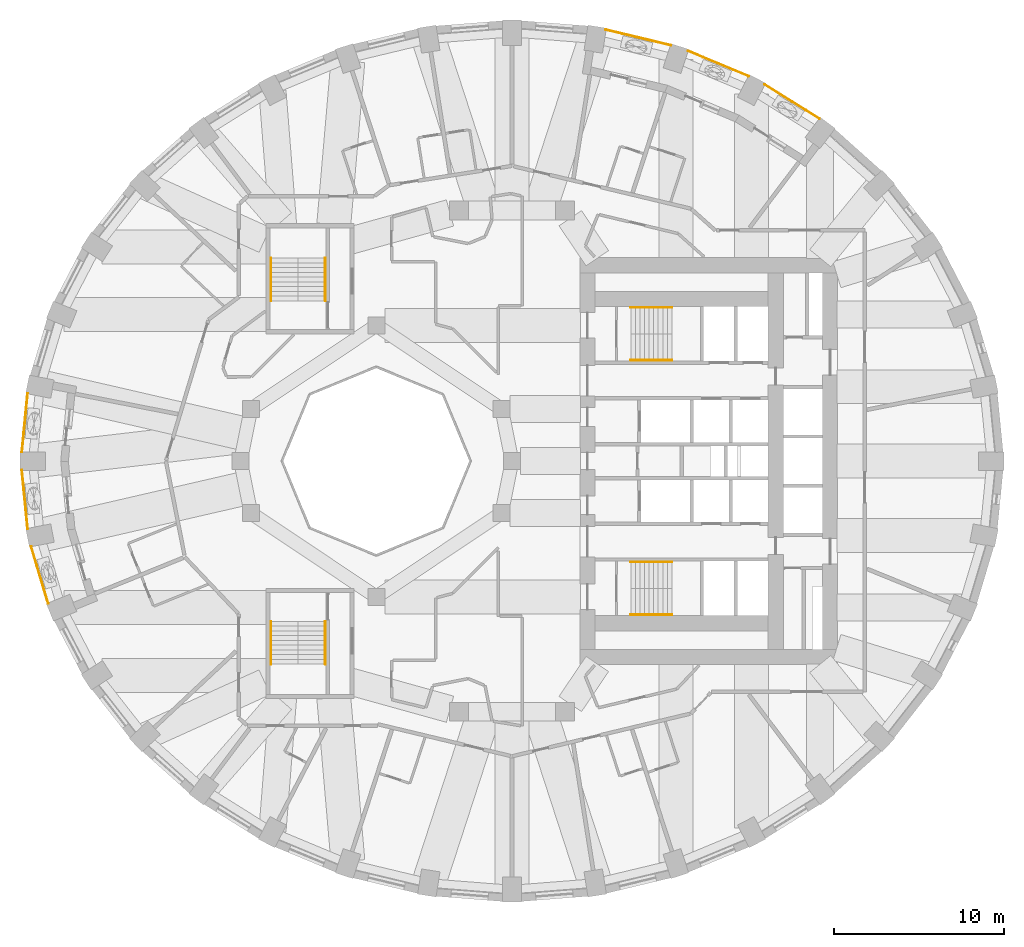
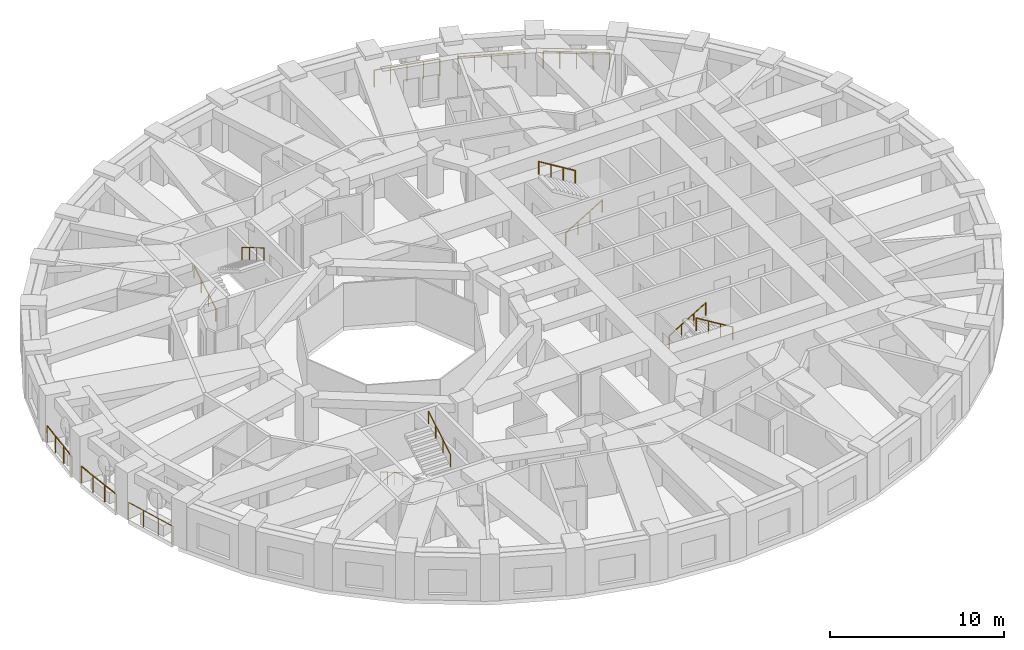
# One storey, part 12 of 14: 14 railings.
"""IFC4 building model written with IfcOpenShell, lengths in metres."""

from ifc_helpers import new_model, si_unit, direction, frame, origin, origin_2d, place, context, subcontext, project, spatial, circle, extrude, material, type_object, element, save


model = new_model("IFC4")

# Units and contexts
model_context = context("Model", 3, precision=1e-05, world=origin(), true_north=direction((0.0, 1.0)))
body_context = subcontext(model_context, "Body", "Model", "MODEL_VIEW")
ifc_project = project(units=[si_unit("LENGTHUNIT", "METRE"), si_unit("AREAUNIT", "SQUARE_METRE"), si_unit("VOLUMEUNIT", "CUBIC_METRE"), si_unit("PLANEANGLEUNIT", "RADIAN"), si_unit("MASSUNIT", "GRAM", prefix="KILO")], contexts=[model_context])

# Site, building, storey
site_placement = place(None, origin())
site = spatial("IfcSite", under=ifc_project, at=site_placement, CompositionType="ELEMENT")
building_placement = place(site_placement, origin())
building = spatial("IfcBuilding", under=site, at=building_placement, Name="Taillehof Tower", CompositionType="ELEMENT")
storey_placement = place(building_placement, frame((0.0, 0.0, 28.300048828125)))
storey = spatial("IfcBuildingStorey", under=building, at=storey_placement, Name="L06", CompositionType="ELEMENT", Elevation=28.300048828125)

# Railings
ifc_material_1 = material(Name="Stainless steel balustrade", Category="steel")
railing_type_1 = type_object("IfcRailingType", Name="Balcony guard 1200", PredefinedType="GUARDRAIL", material=ifc_material_1)
railing_1_placement = place(storey_placement, frame((18.12255859375, 20.176025390625, 0.0)))
element("IfcRailing", 1, at=railing_1_placement, inside=storey, type_object=railing_type_1, Name="Balcony guard L06 bay 6", PredefinedType="GUARDRAIL", context=body_context, shape_type="SweptSolid", body=[
    extrude(circle(Radius=0.02392578125, at=origin_2d()), frame((0.0, 0.0, 1.17578125), z_axis=(-0.847656150947, 0.530545992127, 0.0), x_axis=(-0.530545992127, -0.847656150947, 0.0)), (0.0, 0.0, 1.0), 3.810302734375),
    extrude(circle(Radius=0.02099609375, at=origin_2d()), origin(), (0.0, 0.0, 1.0), 1.15185546875),
    extrude(circle(Radius=0.02099609375, at=origin_2d()), frame((-0.807373046875, 0.50537109375, 0.0)), (0.0, 0.0, 1.0), 1.15185546875),
    extrude(circle(Radius=0.02099609375, at=origin_2d()), frame((-1.61474609375, 1.0107421875, 0.0)), (0.0, 0.0, 1.0), 1.15185546875),
    extrude(circle(Radius=0.02099609375, at=origin_2d()), frame((-2.42236328125, 1.51611328125, 0.0)), (0.0, 0.0, 1.0), 1.15185546875),
    extrude(circle(Radius=0.02099609375, at=origin_2d()), frame((-3.229736328125, 2.021484375, 0.0)), (0.0, 0.0, 1.0), 1.15185546875),
])
railing_2_placement = place(storey_placement, frame((13.951171875, 22.684326171875, 0.0)))
element("IfcRailing", 2, at=railing_2_placement, inside=storey, type_object=railing_type_1, Name="Balcony guard L06 bay 7", PredefinedType="GUARDRAIL", context=body_context, shape_type="SweptSolid", body=[
    extrude(circle(Radius=0.02392578125, at=origin_2d()), frame((0.0, 0.0, 1.17578125), z_axis=(-0.923011806559, 0.384771627011, 0.0), x_axis=(-0.384771627011, -0.923011806559, 0.0)), (0.0, 0.0, 1.0), 3.88330078125),
    extrude(circle(Radius=0.02099609375, at=origin_2d()), origin(), (0.0, 0.0, 1.0), 1.15185546875),
    extrude(circle(Radius=0.02099609375, at=origin_2d()), frame((-0.89599609375, 0.37353515625, 0.0)), (0.0, 0.0, 1.0), 1.15185546875),
    extrude(circle(Radius=0.02099609375, at=origin_2d()), frame((-1.7919921875, 0.7470703125, 0.0)), (0.0, 0.0, 1.0), 1.15185546875),
    extrude(circle(Radius=0.02099609375, at=origin_2d()), frame((-2.688232421875, 1.12060546875, 0.0)), (0.0, 0.0, 1.0), 1.15185546875),
    extrude(circle(Radius=0.02099609375, at=origin_2d()), frame((-3.584228515625, 1.494140625, 0.0)), (0.0, 0.0, 1.0), 1.15185546875),
])
railing_3_placement = place(storey_placement, frame((9.35888671875, 24.5068359375, 0.0)))
element("IfcRailing", 3, at=railing_3_placement, inside=storey, type_object=railing_type_1, Name="Balcony guard L06 bay 8", PredefinedType="GUARDRAIL", context=body_context, shape_type="SweptSolid", body=[
    extrude(circle(Radius=0.02392578125, at=origin_2d()), frame((0.0, 0.0, 1.17578125), z_axis=(-0.972495275648, 0.232922602687, 0.0), x_axis=(-0.232922602687, -0.972495275648, 0.0)), (0.0, 0.0, 1.0), 3.93701171875),
    extrude(circle(Radius=0.02099609375, at=origin_2d()), origin(), (0.0, 0.0, 1.0), 1.15185546875),
    extrude(circle(Radius=0.02099609375, at=origin_2d()), frame((-0.95703125, 0.229248046875, 0.0)), (0.0, 0.0, 1.0), 1.15185546875),
    extrude(circle(Radius=0.02099609375, at=origin_2d()), frame((-1.914306640625, 0.45849609375, 0.0)), (0.0, 0.0, 1.0), 1.15185546875),
    extrude(circle(Radius=0.02099609375, at=origin_2d()), frame((-2.87158203125, 0.687744140625, 0.0)), (0.0, 0.0, 1.0), 1.15185546875),
    extrude(circle(Radius=0.02099609375, at=origin_2d()), frame((-3.82861328125, 0.9169921875, 0.0)), (0.0, 0.0, 1.0), 1.15185546875),
])
railing_4_placement = place(storey_placement, frame((-28.549560546875, 3.987548828125, 0.0)))
element("IfcRailing", 4, at=railing_4_placement, inside=storey, type_object=railing_type_1, Name="Balcony guard L06 bay 18", PredefinedType="GUARDRAIL", context=body_context, shape_type="SweptSolid", body=[
    extrude(circle(Radius=0.02392578125, at=origin_2d()), frame((0.0, 0.0, 1.17578125), z_axis=(-0.097402182783, -0.995245102871, 0.0), x_axis=(0.995245102871, -0.097402182783, 0.0)), (0.0, 0.0, 1.0), 3.47412109375),
    extrude(circle(Radius=0.02099609375, at=origin_2d()), origin(), (0.0, 0.0, 1.0), 1.15185546875),
    extrude(circle(Radius=0.02099609375, at=origin_2d()), frame((-0.11279296875, -1.152587890625, 0.0)), (0.0, 0.0, 1.0), 1.15185546875),
    extrude(circle(Radius=0.02099609375, at=origin_2d()), frame((-0.2255859375, -2.304931640625, 0.0)), (0.0, 0.0, 1.0), 1.15185546875),
    extrude(circle(Radius=0.02099609375, at=origin_2d()), frame((-0.33837890625, -3.45751953125, 0.0)), (0.0, 0.0, 1.0), 1.15185546875),
])
railing_5_placement = place(storey_placement, frame((-28.887939453125, -0.530029296875, 0.0)))
element("IfcRailing", 5, at=railing_5_placement, inside=storey, type_object=railing_type_1, Name="Balcony guard L06 bay 19", PredefinedType="GUARDRAIL", context=body_context, shape_type="SweptSolid", body=[
    extrude(circle(Radius=0.02392578125, at=origin_2d()), frame((0.0, 0.0, 1.17578125), z_axis=(0.097402182783, -0.995245102871, 0.0), x_axis=(0.995245102871, 0.097402182783, 0.0)), (0.0, 0.0, 1.0), 3.47412109375),
    extrude(circle(Radius=0.02099609375, at=origin_2d()), origin(), (0.0, 0.0, 1.0), 1.15185546875),
    extrude(circle(Radius=0.02099609375, at=origin_2d()), frame((0.11279296875, -1.152587890625, 0.0)), (0.0, 0.0, 1.0), 1.15185546875),
    extrude(circle(Radius=0.02099609375, at=origin_2d()), frame((0.2255859375, -2.304931640625, 0.0)), (0.0, 0.0, 1.0), 1.15185546875),
    extrude(circle(Radius=0.02099609375, at=origin_2d()), frame((0.33837890625, -3.45751953125, 0.0)), (0.0, 0.0, 1.0), 1.15185546875),
])
railing_6_placement = place(storey_placement, frame((-28.3447265625, -5.02783203125, 0.0)))
element("IfcRailing", 6, at=railing_6_placement, inside=storey, type_object=railing_type_1, Name="Balcony guard L06 bay 20", PredefinedType="GUARDRAIL", context=body_context, shape_type="SweptSolid", body=[
    extrude(circle(Radius=0.02392578125, at=origin_2d()), frame((0.0, 0.0, 1.17578125), z_axis=(0.287098668231, -0.957901015085, 0.0), x_axis=(0.957901015085, 0.287098668231, 0.0)), (0.0, 0.0, 1.0), 3.505126953125),
    extrude(circle(Radius=0.02099609375, at=origin_2d()), origin(), (0.0, 0.0, 1.0), 1.15185546875),
    extrude(circle(Radius=0.02099609375, at=origin_2d()), frame((0.33544921875, -1.119140625, 0.0)), (0.0, 0.0, 1.0), 1.15185546875),
    extrude(circle(Radius=0.02099609375, at=origin_2d()), frame((0.6708984375, -2.238525390625, 0.0)), (0.0, 0.0, 1.0), 1.15185546875),
    extrude(circle(Radius=0.02099609375, at=origin_2d()), frame((1.00634765625, -3.357666015625, 0.0)), (0.0, 0.0, 1.0), 1.15185546875),
])
ifc_material_2 = material(Name="Stainless steel", Category="steel")
railing_type_2 = type_object("IfcRailingType", Name="Stair handrail 900", PredefinedType="HANDRAIL", material=ifc_material_2)
railing_7_placement = place(storey_placement, frame((7.0, 5.949951171875, 0.1650390625)))
element("IfcRailing", 7, at=railing_7_placement, inside=storey, type_object=railing_type_2, Name="Stair S1 handrail", PredefinedType="HANDRAIL", context=body_context, shape_type="SweptSolid", body=[
    extrude(circle(Radius=0.02392578125, at=origin_2d()), frame((0.0, 0.0, 0.8759765625), z_axis=(0.853296667938, 0.0, 0.521425734392), x_axis=(0.0, 1.0, 0.0)), (0.0, 0.0, 1.0), 2.84765625),
    extrude(circle(Radius=0.02099609375, at=origin_2d()), origin(), (0.0, 0.0, 1.0), 0.851806640625),
    extrude(circle(Radius=0.02099609375, at=origin_2d()), frame((0.81005859375, 0.0, 0.494873046875)), (0.0, 0.0, 1.0), 0.851806640625),
    extrude(circle(Radius=0.02099609375, at=origin_2d()), frame((1.619873046875, 0.0, 0.989990234375)), (0.0, 0.0, 1.0), 0.851806640625),
    extrude(circle(Radius=0.02099609375, at=origin_2d()), frame((2.429931640625, 0.0, 1.48486328125)), (0.0, 0.0, 1.0), 0.851806640625),
])
railing_8_placement = place(storey_placement, frame((9.429931640625, 9.050048828125, 1.81494140625)))
element("IfcRailing", 8, at=railing_8_placement, inside=storey, type_object=railing_type_2, Name="Stair S1 handrail", PredefinedType="HANDRAIL", context=body_context, shape_type="SweptSolid", body=[
    extrude(circle(Radius=0.02392578125, at=origin_2d()), frame((0.0, 0.0, 0.8759765625), z_axis=(-0.853258522278, 0.0, 0.521488153423), x_axis=(0.0, -1.0, 0.0)), (0.0, 0.0, 1.0), 2.847900390625),
    extrude(circle(Radius=0.02099609375, at=origin_2d()), origin(), (0.0, 0.0, 1.0), 0.851806640625),
    extrude(circle(Radius=0.02099609375, at=origin_2d()), frame((-0.81005859375, 0.0, 0.4951171875)), (0.0, 0.0, 1.0), 0.851806640625),
    extrude(circle(Radius=0.02099609375, at=origin_2d()), frame((-1.619873046875, 0.0, 0.989990234375)), (0.0, 0.0, 1.0), 0.851806640625),
    extrude(circle(Radius=0.02099609375, at=origin_2d()), frame((-2.429931640625, 0.0, 1.485107421875)), (0.0, 0.0, 1.0), 0.851806640625),
])
railing_9_placement = place(storey_placement, frame((7.0, -5.949951171875, 0.1650390625)))
element("IfcRailing", 9, at=railing_9_placement, inside=storey, type_object=railing_type_2, Name="Stair S2 handrail", PredefinedType="HANDRAIL", context=body_context, shape_type="SweptSolid", body=[
    extrude(circle(Radius=0.02392578125, at=origin_2d()), frame((0.0, 0.0, 0.8759765625), z_axis=(0.853296667938, 0.0, 0.521425734392), x_axis=(0.0, 1.0, 0.0)), (0.0, 0.0, 1.0), 2.84765625),
    extrude(circle(Radius=0.02099609375, at=origin_2d()), origin(), (0.0, 0.0, 1.0), 0.851806640625),
    extrude(circle(Radius=0.02099609375, at=origin_2d()), frame((0.81005859375, 0.0, 0.494873046875)), (0.0, 0.0, 1.0), 0.851806640625),
    extrude(circle(Radius=0.02099609375, at=origin_2d()), frame((1.619873046875, 0.0, 0.989990234375)), (0.0, 0.0, 1.0), 0.851806640625),
    extrude(circle(Radius=0.02099609375, at=origin_2d()), frame((2.429931640625, 0.0, 1.48486328125)), (0.0, 0.0, 1.0), 0.851806640625),
])
railing_10_placement = place(storey_placement, frame((9.429931640625, -9.050048828125, 1.81494140625)))
element("IfcRailing", 10, at=railing_10_placement, inside=storey, type_object=railing_type_2, Name="Stair S2 handrail", PredefinedType="HANDRAIL", context=body_context, shape_type="SweptSolid", body=[
    extrude(circle(Radius=0.02392578125, at=origin_2d()), frame((0.0, 0.0, 0.8759765625), z_axis=(-0.853258522278, 0.0, 0.521488153423), x_axis=(0.0, -1.0, 0.0)), (0.0, 0.0, 1.0), 2.847900390625),
    extrude(circle(Radius=0.02099609375, at=origin_2d()), origin(), (0.0, 0.0, 1.0), 0.851806640625),
    extrude(circle(Radius=0.02099609375, at=origin_2d()), frame((-0.81005859375, 0.0, 0.4951171875)), (0.0, 0.0, 1.0), 0.851806640625),
    extrude(circle(Radius=0.02099609375, at=origin_2d()), frame((-1.619873046875, 0.0, 0.989990234375)), (0.0, 0.0, 1.0), 0.851806640625),
    extrude(circle(Radius=0.02099609375, at=origin_2d()), frame((-2.429931640625, 0.0, 1.485107421875)), (0.0, 0.0, 1.0), 0.851806640625),
])
railing_11_placement = place(storey_placement, frame((-14.199951171875, 9.449951171875, 0.1650390625)))
element("IfcRailing", 11, at=railing_11_placement, inside=storey, type_object=railing_type_2, Name="Stair S3 handrail", PredefinedType="HANDRAIL", context=body_context, shape_type="SweptSolid", body=[
    extrude(circle(Radius=0.02392578125, at=origin_2d()), frame((0.0, 0.0, 0.8759765625), z_axis=(0.0, 0.861560626758, 0.507654692109), x_axis=(-1.0, 0.0, 0.0)), (0.0, 0.0, 1.0), 2.925048828125),
    extrude(circle(Radius=0.02099609375, at=origin_2d()), origin(), (0.0, 0.0, 1.0), 0.851806640625),
    extrude(circle(Radius=0.02099609375, at=origin_2d()), frame((0.0, 0.840087890625, 0.494873046875)), (0.0, 0.0, 1.0), 0.851806640625),
    extrude(circle(Radius=0.02099609375, at=origin_2d()), frame((0.0, 1.679931640625, 0.989990234375)), (0.0, 0.0, 1.0), 0.851806640625),
    extrude(circle(Radius=0.02099609375, at=origin_2d()), frame((0.0, 2.52001953125, 1.48486328125)), (0.0, 0.0, 1.0), 0.851806640625),
])
railing_12_placement = place(storey_placement, frame((-11.0, 11.969970703125, 1.81494140625)))
element("IfcRailing", 12, at=railing_12_placement, inside=storey, type_object=railing_type_2, Name="Stair S3 handrail", PredefinedType="HANDRAIL", context=body_context, shape_type="SweptSolid", body=[
    extrude(circle(Radius=0.02392578125, at=origin_2d()), frame((0.0, 0.0, 0.8759765625), z_axis=(0.0, -0.86152411907, 0.507716645641), x_axis=(1.0, 0.0, 0.0)), (0.0, 0.0, 1.0), 2.925048828125),
    extrude(circle(Radius=0.02099609375, at=origin_2d()), origin(), (0.0, 0.0, 1.0), 0.851806640625),
    extrude(circle(Radius=0.02099609375, at=origin_2d()), frame((0.0, -0.840087890625, 0.4951171875)), (0.0, 0.0, 1.0), 0.851806640625),
    extrude(circle(Radius=0.02099609375, at=origin_2d()), frame((0.0, -1.679931640625, 0.989990234375)), (0.0, 0.0, 1.0), 0.851806640625),
    extrude(circle(Radius=0.02099609375, at=origin_2d()), frame((0.0, -2.52001953125, 1.485107421875)), (0.0, 0.0, 1.0), 0.851806640625),
])
railing_13_placement = place(storey_placement, frame((-14.199951171875, -9.449951171875, 0.1650390625)))
element("IfcRailing", 13, at=railing_13_placement, inside=storey, type_object=railing_type_2, Name="Stair S4 handrail", PredefinedType="HANDRAIL", context=body_context, shape_type="SweptSolid", body=[
    extrude(circle(Radius=0.02392578125, at=origin_2d()), frame((0.0, 0.0, 0.8759765625), z_axis=(0.0, -0.861560626758, 0.507654692109), x_axis=(1.0, 0.0, 0.0)), (0.0, 0.0, 1.0), 2.925048828125),
    extrude(circle(Radius=0.02099609375, at=origin_2d()), origin(), (0.0, 0.0, 1.0), 0.851806640625),
    extrude(circle(Radius=0.02099609375, at=origin_2d()), frame((0.0, -0.840087890625, 0.494873046875)), (0.0, 0.0, 1.0), 0.851806640625),
    extrude(circle(Radius=0.02099609375, at=origin_2d()), frame((0.0, -1.679931640625, 0.989990234375)), (0.0, 0.0, 1.0), 0.851806640625),
    extrude(circle(Radius=0.02099609375, at=origin_2d()), frame((0.0, -2.52001953125, 1.48486328125)), (0.0, 0.0, 1.0), 0.851806640625),
])
railing_14_placement = place(storey_placement, frame((-11.0, -11.969970703125, 1.81494140625)))
element("IfcRailing", 14, at=railing_14_placement, inside=storey, type_object=railing_type_2, Name="Stair S4 handrail", PredefinedType="HANDRAIL", context=body_context, shape_type="SweptSolid", body=[
    extrude(circle(Radius=0.02392578125, at=origin_2d()), frame((0.0, 0.0, 0.8759765625), z_axis=(0.0, 0.86152411907, 0.507716645641), x_axis=(-1.0, 0.0, 0.0)), (0.0, 0.0, 1.0), 2.925048828125),
    extrude(circle(Radius=0.02099609375, at=origin_2d()), origin(), (0.0, 0.0, 1.0), 0.851806640625),
    extrude(circle(Radius=0.02099609375, at=origin_2d()), frame((0.0, 0.840087890625, 0.4951171875)), (0.0, 0.0, 1.0), 0.851806640625),
    extrude(circle(Radius=0.02099609375, at=origin_2d()), frame((0.0, 1.679931640625, 0.989990234375)), (0.0, 0.0, 1.0), 0.851806640625),
    extrude(circle(Radius=0.02099609375, at=origin_2d()), frame((0.0, 2.52001953125, 1.485107421875)), (0.0, 0.0, 1.0), 0.851806640625),
])

save(model, "model.ifc")
